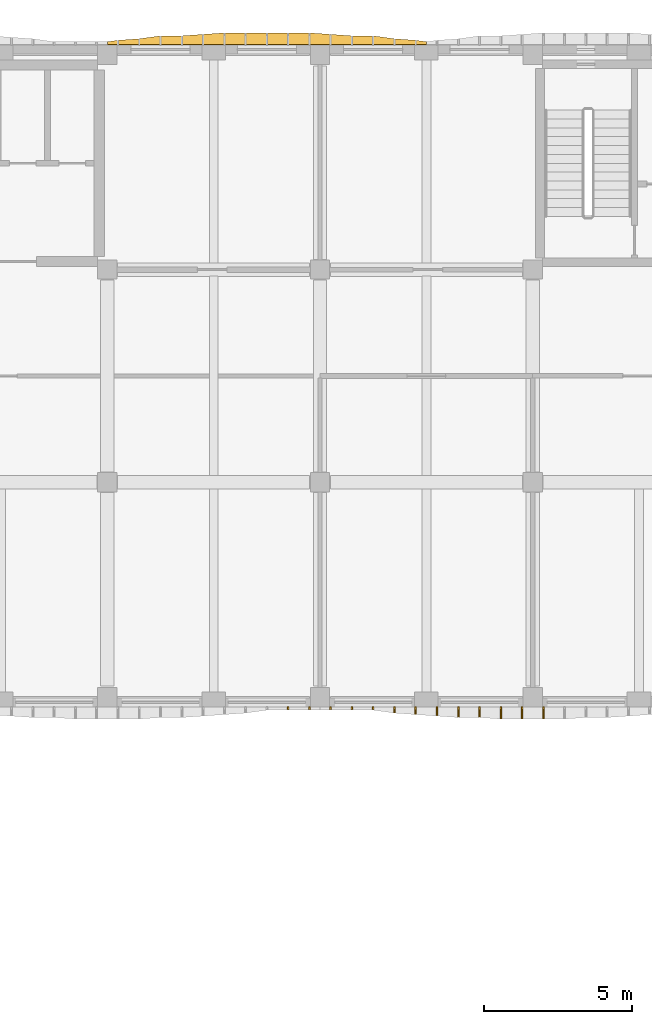
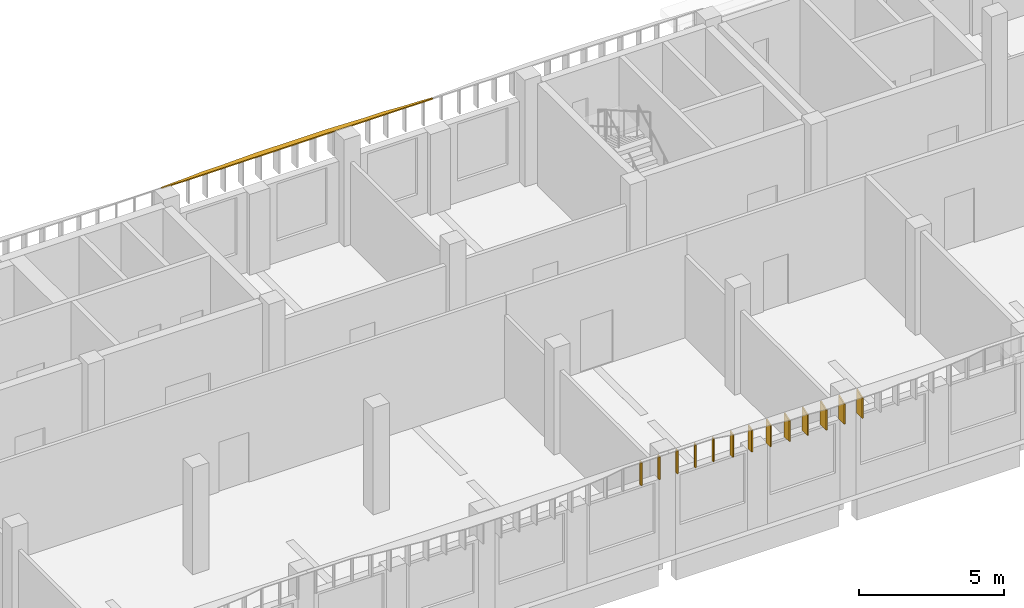
# One storey, part 50 of 58: 14 shading devices.
"""IFC4 building model written with IfcOpenShell, lengths in metres."""

from ifc_helpers import new_model, si_unit, direction, frame, origin, place, context, subcontext, project, spatial, polyline, outline, extrude, material, layer, layer_set, type_object, element, save


model = new_model("IFC4")

# Units and contexts
model_context = context("Model", 3, precision=1e-05, world=origin(), true_north=direction((0.0, 1.0)))
body_context = subcontext(model_context, "Body", "Model", "MODEL_VIEW")
ifc_project = project(units=[si_unit("LENGTHUNIT", "METRE"), si_unit("AREAUNIT", "SQUARE_METRE"), si_unit("VOLUMEUNIT", "CUBIC_METRE"), si_unit("PLANEANGLEUNIT", "RADIAN"), si_unit("MASSUNIT", "GRAM", prefix="KILO")], contexts=[model_context])

# Site, building, storey
site_placement = place(None, origin())
site = spatial("IfcSite", under=ifc_project, at=site_placement, CompositionType="ELEMENT")
building_placement = place(site_placement, origin())
building = spatial("IfcBuilding", under=site, at=building_placement, Name="Ussher Court Research Institute", CompositionType="ELEMENT")
storey_placement = place(building_placement, frame((0.0, 0.0, 9.89990234375)))
storey = spatial("IfcBuildingStorey", under=building, at=storey_placement, Name="L02", CompositionType="ELEMENT", Elevation=9.89990234375)

# Shading devices
ifc_material_1 = material(Name="Bronze anodised aluminium", Category="aluminium")
ifc_layer_1 = layer(ifc_material_1, 0.050048828125)
ifc_layer_set_1 = layer_set([ifc_layer_1], Name="Bronze anodised aluminium")
shading_device_type_1 = type_object("IfcShadingDeviceType", Name="Brim blade 100 mm deep 1000 mm high canted 20 deg dry", PredefinedType="USERDEFINED", material=ifc_layer_set_1)
for number, where, z_axis, x_axis, name in (
    (1, (69.60009765625, 68.39990234375, 3.4501953125), (0.0, 0.0, 1.0), (0.0, -1.0, 0.0), "Brim blade BS17 L02"),
    (2, (68.8798828125, 68.39990234375, 3.4501953125), (0.0, 0.0, 1.0), (0.0, -1.0, 0.0), "Brim blade BS17 L02"),
    (3, (68.159912109375, 68.39990234375, 3.4501953125), (0.0, 0.0, 1.0), (0.0, -1.0, 0.0), "Brim blade BS17 L02"),
    (4, (67.43994140625, 68.39990234375, 3.4501953125), (0.0, 0.0, 1.0), (0.0, -1.0, 0.0), "Brim blade BS17 L02"),
    (5, (66.719970703125, 68.39990234375, 3.4501953125), (0.0, 0.0, 1.0), (0.0, -1.0, 0.0), "Brim blade BS17 L02"),
):
    element("IfcShadingDevice", number, at=place(storey_placement, frame(where, z_axis=z_axis, x_axis=x_axis)), inside=storey, type_object=shading_device_type_1, Name=name, ObjectType="BLADE", PredefinedType="USERDEFINED", context=body_context, shape_type="SweptSolid", body=[
        extrude(outline(polyline([(0.0, 0.0), (0.099853515625, 0.0), (0.10009765625, 0.963623046875), (0.0, 1.0), (0.0, 0.0)])), frame((0.0, 0.02490234375, 0.0), z_axis=(0.0, -1.0, 0.0), x_axis=(1.0, 0.0, 0.0)), (0.0, 0.0, 1.0), 0.050048828125),
    ])
ifc_material_2 = material(Name="Bronze anodised aluminium", Category="aluminium")
ifc_layer_2 = layer(ifc_material_2, 0.050048828125)
ifc_layer_set_2 = layer_set([ifc_layer_2], Name="Bronze anodised aluminium")
shading_device_type_2 = type_object("IfcShadingDeviceType", Name="Brim blade 200 mm deep 1000 mm high canted 20 deg dry", PredefinedType="USERDEFINED", material=ifc_layer_set_2)
shading_device_1_placement = place(storey_placement, frame((70.320068359375, 68.39990234375, 3.4501953125), z_axis=(0.0, 0.0, 1.0), x_axis=(0.0, -1.0, 0.0)))
element("IfcShadingDevice", 6, at=shading_device_1_placement, inside=storey, type_object=shading_device_type_2, Name="Brim blade BS15 L02", ObjectType="BLADE", PredefinedType="USERDEFINED", context=body_context, shape_type="SweptSolid", body=[
    extrude(outline(polyline([(0.0, 0.0), (0.199951171875, 0.0), (0.199951171875, 0.927001953125), (0.0, 1.0), (0.0, 0.0)])), frame((0.0, 0.02490234375, 0.0), z_axis=(0.0, -1.0, 0.0), x_axis=(1.0, 0.0, 0.0)), (0.0, 0.0, 1.0), 0.050048828125),
])
ifc_material_3 = material(Name="Bronze anodised aluminium", Category="aluminium")
ifc_layer_3 = layer(ifc_material_3, 0.050048828125)
ifc_layer_set_3 = layer_set([ifc_layer_3], Name="Bronze anodised aluminium")
shading_device_type_3 = type_object("IfcShadingDeviceType", Name="Brim blade 250 mm deep 1000 mm high canted 20 deg dry", PredefinedType="USERDEFINED", material=ifc_layer_set_3)
shading_device_2_placement = place(storey_placement, frame((71.0400390625, 68.39990234375, 3.4501953125), z_axis=(0.0, 0.0, 1.0), x_axis=(0.0, -1.0, 0.0)))
element("IfcShadingDevice", 7, at=shading_device_2_placement, inside=storey, type_object=shading_device_type_3, Name="Brim blade BS14 L02", ObjectType="BLADE", PredefinedType="USERDEFINED", context=body_context, shape_type="SweptSolid", body=[
    extrude(outline(polyline([(0.0, 0.0), (0.25, 0.0), (0.25, 0.908935546875), (0.0, 1.0), (0.0, 0.0)])), frame((0.0, 0.02490234375, 0.0), z_axis=(0.0, -1.0, 0.0), x_axis=(1.0, 0.0, 0.0)), (0.0, 0.0, 1.0), 0.050048828125),
])
ifc_material_4 = material(Name="Bronze anodised aluminium", Category="aluminium")
ifc_layer_4 = layer(ifc_material_4, 0.050048828125)
ifc_layer_set_4 = layer_set([ifc_layer_4], Name="Bronze anodised aluminium")
shading_device_type_4 = type_object("IfcShadingDeviceType", Name="Brim blade 300 mm deep 1000 mm high canted 20 deg dry", PredefinedType="USERDEFINED", material=ifc_layer_set_4)
shading_device_3_placement = place(storey_placement, frame((71.760009765625, 68.39990234375, 3.4501953125), z_axis=(0.0, 0.0, 1.0), x_axis=(0.0, -1.0, 0.0)))
element("IfcShadingDevice", 8, at=shading_device_3_placement, inside=storey, type_object=shading_device_type_4, Name="Brim blade BS13 L02", ObjectType="BLADE", PredefinedType="USERDEFINED", context=body_context, shape_type="SweptSolid", body=[
    extrude(outline(polyline([(0.0, 0.0), (0.2998046875, 0.0), (0.300048828125, 0.890625), (0.0, 1.0), (0.0, 0.0)])), frame((0.0, 0.02490234375, 0.0), z_axis=(0.0, -1.0, 0.0), x_axis=(1.0, 0.0, 0.0)), (0.0, 0.0, 1.0), 0.050048828125),
])
ifc_material_5 = material(Name="Bronze anodised aluminium", Category="aluminium")
ifc_layer_5 = layer(ifc_material_5, 0.050048828125)
ifc_layer_set_5 = layer_set([ifc_layer_5], Name="Bronze anodised aluminium")
shading_device_type_5 = type_object("IfcShadingDeviceType", Name="Brim blade 350 mm deep 1000 mm high canted 20 deg dry", PredefinedType="USERDEFINED", material=ifc_layer_set_5)
for number, where, z_axis, x_axis, name in (
    (9, (73.199951171875, 68.39990234375, 3.4501953125), (0.0, 0.0, 1.0), (0.0, -1.0, 0.0), "Brim blade BS12 L02"),
    (10, (72.47998046875, 68.39990234375, 3.4501953125), (0.0, 0.0, 1.0), (0.0, -1.0, 0.0), "Brim blade BS12 L02"),
):
    element("IfcShadingDevice", number, at=place(storey_placement, frame(where, z_axis=z_axis, x_axis=x_axis)), inside=storey, type_object=shading_device_type_5, Name=name, ObjectType="BLADE", PredefinedType="USERDEFINED", context=body_context, shape_type="SweptSolid", body=[
        extrude(outline(polyline([(0.0, 0.0), (0.349853515625, 0.0), (0.35009765625, 0.87255859375), (0.0, 1.0), (0.0, 0.0)])), frame((0.0, 0.02490234375, 0.0), z_axis=(0.0, -1.0, 0.0), x_axis=(1.0, 0.0, 0.0)), (0.0, 0.0, 1.0), 0.050048828125),
    ])
ifc_material_6 = material(Name="Bronze anodised aluminium", Category="aluminium")
ifc_layer_6 = layer(ifc_material_6, 0.050048828125)
ifc_layer_set_6 = layer_set([ifc_layer_6], Name="Bronze anodised aluminium")
shading_device_type_6 = type_object("IfcShadingDeviceType", Name="Brim blade 400 mm deep 1000 mm high canted 20 deg dry", PredefinedType="USERDEFINED", material=ifc_layer_set_6)
for number, where, z_axis, x_axis, name in (
    (11, (75.360107421875, 68.39990234375, 3.4501953125), (0.0, 0.0, 1.0), (0.0, -1.0, 0.0), "Brim blade BS11 L02"),
    (12, (74.639892578125, 68.39990234375, 3.4501953125), (0.0, 0.0, 1.0), (0.0, -1.0, 0.0), "Brim blade BS11 L02"),
    (13, (73.919921875, 68.39990234375, 3.4501953125), (0.0, 0.0, 1.0), (0.0, -1.0, 0.0), "Brim blade BS11 L02"),
):
    element("IfcShadingDevice", number, at=place(storey_placement, frame(where, z_axis=z_axis, x_axis=x_axis)), inside=storey, type_object=shading_device_type_6, Name=name, ObjectType="BLADE", PredefinedType="USERDEFINED", context=body_context, shape_type="SweptSolid", body=[
        extrude(outline(polyline([(0.0, 0.0), (0.39990234375, 0.0), (0.39990234375, 0.854248046875), (0.0, 1.0), (0.0, 0.0)])), frame((0.0, 0.02490234375, 0.0), z_axis=(0.0, -1.0, 0.0), x_axis=(1.0, 0.0, 0.0)), (0.0, 0.0, 1.0), 0.050048828125),
    ])
ifc_material_7 = material(Name="Bronze anodised aluminium", Category="aluminium")
ifc_layer_7 = layer(ifc_material_7, 0.0400390625)
ifc_layer_set_7 = layer_set([ifc_layer_7], Name="Bronze anodised aluminium")
shading_device_type_7 = type_object("IfcShadingDeviceType", Name="Brim visor sheet 40 mm canted 20 deg dry", PredefinedType="USERDEFINED", material=ifc_layer_set_7)
shading_device_4_placement = place(storey_placement, frame((60.60009765625, 90.813720703125, 4.48779296875), z_axis=(0.0, 0.342437443403, 0.93954063103), x_axis=(1.0, 0.0, 0.0)))
element("IfcShadingDevice", 14, at=shading_device_4_placement, inside=storey, type_object=shading_device_type_7, Name="Brim visor sheet BR2 L02", ObjectType="BRIM", PredefinedType="USERDEFINED", context=body_context, shape_type="SweptSolid", body=[
    extrude(outline(polyline([(0.0, 0.0), (10.7998046875, 0.0), (10.7998046875, 0.10650264594463102), (10.43994140625, 0.15956639032580203), (9.719970703125, 0.21285951474384548), (9.0, 0.3193621606884765), (8.27978515625, 0.3193621606884765), (7.559814453125, 0.37257168221506404), (6.83984375, 0.42563542659623504), (6.119873046875, 0.42563542659623504), (5.39990234375, 0.42563542659623504), (4.679931640625, 0.42563542659623504), (3.9599609375, 0.42563542659623504), (3.239990234375, 0.37257168221506404), (2.52001953125, 0.3193621606884765), (1.7998046875, 0.3193621606884765), (1.079833984375, 0.21285951474384548), (0.35986328125, 0.15956639032580203), (0.0, 0.10650264594463102), (0.0, 0.0)])), origin(), (0.0, 0.0, -1.0), 0.0400390625),
])

save(model, "model.ifc")
